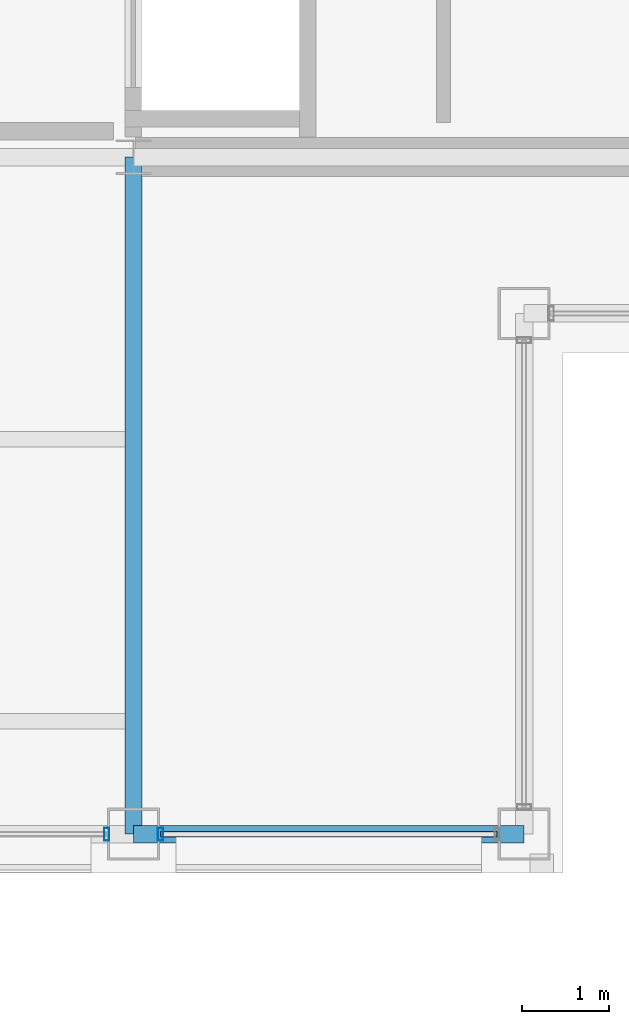
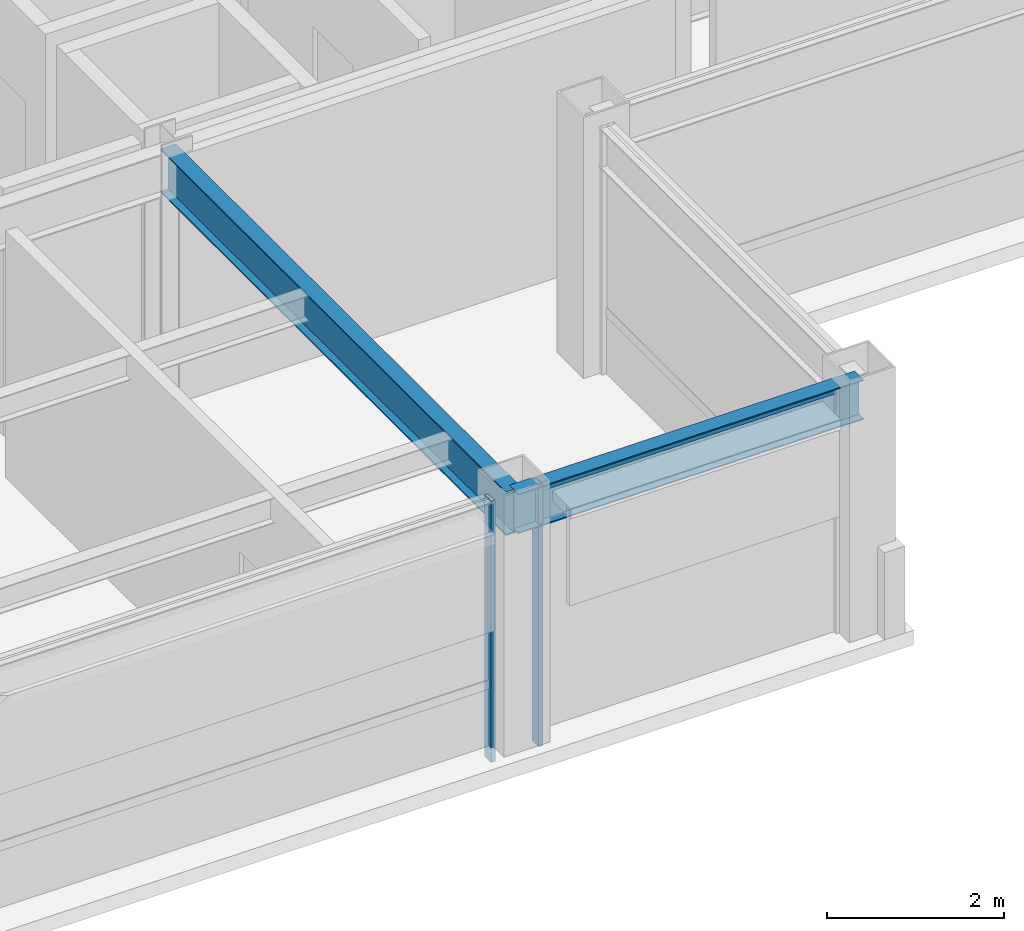
# One storey, part 7 of 27: 3 members, 2 beams, 2 elements without a shape of their own.
"""IFC4 building model written with IfcOpenShell, lengths in metres."""

from ifc_helpers import new_model, si_unit, direction, frame, origin, origin_2d, place, context, subcontext, project, spatial, hollow_rectangle, i_section, extrude, material, layer, layer_set, material_profile, profile_set, type_object, element, aggregate, save


model = new_model("IFC4")

# Units and contexts
model_context = context("Model", 3, precision=1e-05, world=origin(), true_north=direction((0.0, 1.0)))
body_context = subcontext(model_context, "Body", "Model", "MODEL_VIEW")
ifc_project = project(units=[si_unit("LENGTHUNIT", "METRE"), si_unit("AREAUNIT", "SQUARE_METRE"), si_unit("VOLUMEUNIT", "CUBIC_METRE"), si_unit("PLANEANGLEUNIT", "RADIAN"), si_unit("MASSUNIT", "GRAM", prefix="KILO")], contexts=[model_context])

# Site, building, storey
site_placement = place(None, origin())
site = spatial("IfcSite", under=ifc_project, at=site_placement, CompositionType="ELEMENT")
building_placement = place(site_placement, origin())
building = spatial("IfcBuilding", under=site, at=building_placement, Name="Brelmoor Portico Tower", CompositionType="ELEMENT")
storey_placement = place(building_placement, frame((0.0, 0.0, 250.800048828125)))
storey = spatial("IfcBuildingStorey", under=building, at=storey_placement, Name="L66", CompositionType="ELEMENT", Elevation=250.800048828125)

# Beams
ifc_material_1 = material(Name="Steel Q355B", Category="steel")
ifc_material_profile_1 = material_profile(ifc_material_1, i_section(OverallWidth=0.199951171875, OverallDepth=0.60009765625, WebThickness=0.010986328125, FlangeThickness=0.01708984375, at=origin_2d()), Name="HN 600x200x11x17")
ifc_profile_set_1 = profile_set([ifc_material_profile_1], Name="Steel Q355B")
beam_type_1 = type_object("IfcBeamType", Name="BM-PG-600", PredefinedType="BEAM", material=ifc_profile_set_1)
beam_1_placement = place(storey_placement, frame((8.050048828125, -17.550048828125, 3.099853515625), z_axis=(0.0, 1.0, 0.0), x_axis=(-1.0, 0.0, 0.0)))
element("IfcBeam", 1, at=beam_1_placement, inside=storey, type_object=beam_type_1, Name="L66 Primary Floor Girder PG-06", PredefinedType="BEAM", context=body_context, shape_type="SweptSolid", body=[
    extrude(i_section(OverallWidth=0.199951171875, OverallDepth=0.60009765625, WebThickness=0.010986328125, FlangeThickness=0.01708984375, at=origin_2d()), origin(), (0.0, 0.0, 1.0), 7.800048828125),
])
ifc_material_profile_2 = material_profile(ifc_material_1, i_section(OverallWidth=0.199951171875, OverallDepth=0.550048828125, WebThickness=0.010009765625, FlangeThickness=0.01611328125, at=origin_2d()), Name="HN 550x200x10x16")
ifc_profile_set_2 = profile_set([ifc_material_profile_2], Name="Steel Q355B")
beam_type_2 = type_object("IfcBeamType", Name="BM-SP-550", PredefinedType="SPANDREL", material=ifc_profile_set_2)
beam_2_placement = place(storey_placement, frame((8.050048828125, -17.550048828125, 3.125), z_axis=(1.0, 0.0, 0.0), x_axis=(0.0, 1.0, 0.0)))
element("IfcBeam", 2, at=beam_2_placement, inside=storey, type_object=beam_type_2, Name="L66 Perimeter Spandrel Beam SP-03", PredefinedType="SPANDREL", context=body_context, shape_type="SweptSolid", body=[
    extrude(i_section(OverallWidth=0.199951171875, OverallDepth=0.550048828125, WebThickness=0.010009765625, FlangeThickness=0.01611328125, at=origin_2d()), origin(), (0.0, 0.0, 1.0), 4.5),
])

# Curtain wall, member
ifc_material_2 = material(Name="Anodised Aluminium Alloy 6063-T6", Category="aluminium")
ifc_layer_1 = layer(ifc_material_2, 0.179931640625)
ifc_layer_set_1 = layer_set([ifc_layer_1], Name="Anodised Aluminium Alloy 6063-T6")
curtain_wall_type_1 = type_object("IfcCurtainWallType", Name="CW-TOWER-Z4", PredefinedType="NOTDEFINED", material=ifc_layer_set_1)
curtain_wall_1_placement = place(storey_placement, origin())
curtain_wall_1 = element("IfcCurtainWall", 3, at=curtain_wall_1_placement, inside=storey, type_object=curtain_wall_type_1, Name="L66 Curtain Wall CW-L66-1R-1", PredefinedType="NOTDEFINED")
ifc_material_profile_3 = material_profile(ifc_material_2, hollow_rectangle(XDim=0.06005859375, YDim=0.14990234375, WallThickness=0.00390625, at=origin_2d()), Name="ALU MULLION 60x150")
ifc_profile_set_3 = profile_set([ifc_material_profile_3], Name="Anodised Aluminium Alloy 6063-T6")
member_type_1 = type_object("IfcMemberType", Name="MB-CW-MULL-150", PredefinedType="MULLION", material=ifc_profile_set_3)
member_1_placement = place(storey_placement, frame((7.739990234375, -17.550048828125, -0.199951171875), z_axis=(0.0, 0.0, 1.0), x_axis=(1.0, 0.0, 0.0)))
member_1 = element("IfcMember", 4, at=member_1_placement, type_object=member_type_1, Name="CW-L66-1R-1 Mullion 01", PredefinedType="MULLION", context=body_context, shape_type="SweptSolid", body=[
    extrude(hollow_rectangle(XDim=0.06005859375, YDim=0.14990234375, WallThickness=0.00390625, at=origin_2d()), origin(), (0.0, 0.0, 1.0), 3.599853515625),
])
aggregate(curtain_wall_1, [member_1])

# Curtain wall, members
ifc_layer_2 = layer(ifc_material_2, 0.179931640625)
ifc_layer_set_2 = layer_set([ifc_layer_2], Name="Anodised Aluminium Alloy 6063-T6")
curtain_wall_type_2 = type_object("IfcCurtainWallType", Name="CW-TOWER-Z4-XB", PredefinedType="NOTDEFINED", material=ifc_layer_set_2)
curtain_wall_2_placement = place(storey_placement, origin())
curtain_wall_2 = element("IfcCurtainWall", 5, at=curtain_wall_2_placement, inside=storey, type_object=curtain_wall_type_2, Name="L66 Curtain Wall CW-L66-1R-2", PredefinedType="NOTDEFINED")
member_2_placement = place(storey_placement, frame((8.360107421875, -17.550048828125, -0.199951171875), z_axis=(0.0, 0.0, 1.0), x_axis=(1.0, 0.0, 0.0)))
member_2 = element("IfcMember", 6, at=member_2_placement, type_object=member_type_1, Name="CW-L66-1R-2 Mullion 00", PredefinedType="MULLION", context=body_context, shape_type="SweptSolid", body=[
    extrude(hollow_rectangle(XDim=0.06005859375, YDim=0.14990234375, WallThickness=0.00390625, at=origin_2d()), origin(), (0.0, 0.0, 1.0), 3.599853515625),
])
ifc_material_profile_4 = material_profile(ifc_material_2, hollow_rectangle(XDim=0.06005859375, YDim=0.125, WallThickness=0.00341796875, at=origin_2d()), Name="ALU TRANSOM 60x125")
ifc_profile_set_4 = profile_set([ifc_material_profile_4], Name="Anodised Aluminium Alloy 6063-T6")
member_type_2 = type_object("IfcMemberType", Name="MB-CW-TRAN-125", PredefinedType="USERDEFINED", material=ifc_profile_set_4)
member_3_placement = place(storey_placement, frame((8.360107421875, -17.550048828125, 3.33740234375), z_axis=(1.0, 0.0, 0.0), x_axis=(0.0, 1.0, 0.0)))
member_3 = element("IfcMember", 7, at=member_3_placement, type_object=member_type_2, Name="CW-L66-1R-2 Transom 1-00", ObjectType="TRANSOM", PredefinedType="USERDEFINED", context=body_context, shape_type="SweptSolid", body=[
    extrude(hollow_rectangle(XDim=0.06005859375, YDim=0.125, WallThickness=0.00341796875, at=origin_2d()), origin(), (0.0, 0.0, 1.0), 3.8798828125),
])
aggregate(curtain_wall_2, [member_2, member_3])

save(model, "model.ifc")
